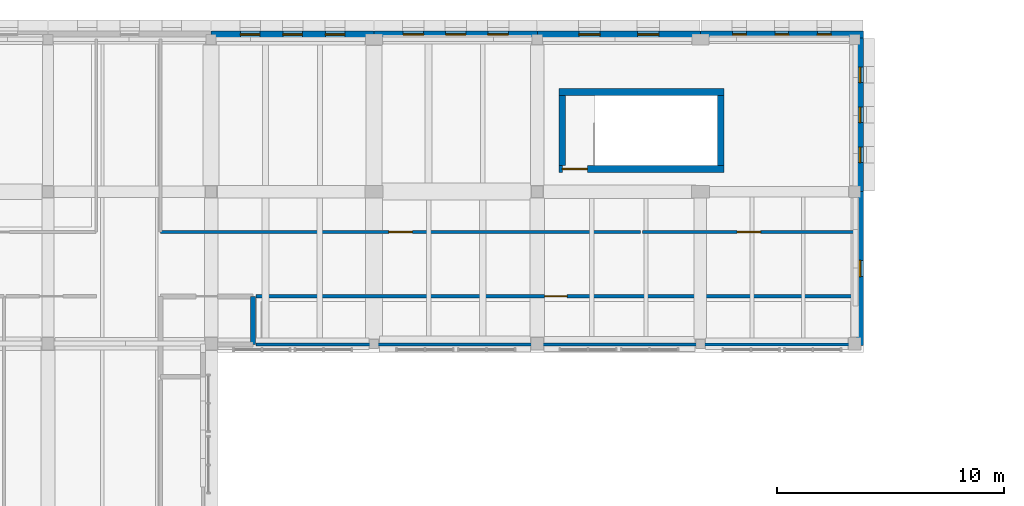
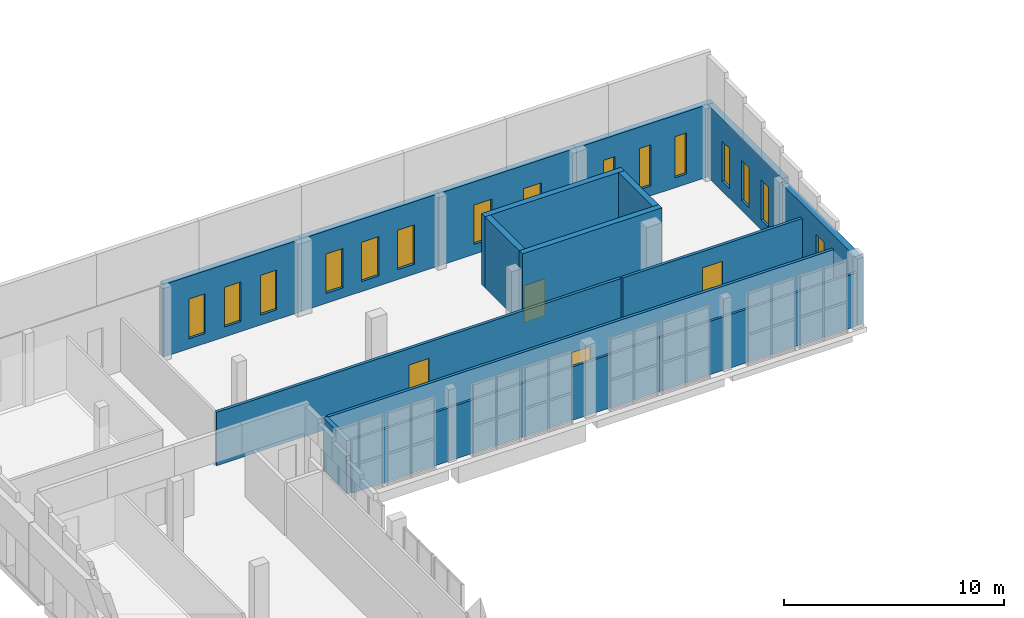
# One storey, part 24 of 34: 15 walls, 15 windows, 4 doors, 19 openings.
"""IFC4 building model written with IfcOpenShell, lengths in metres."""

from ifc_helpers import new_model, si_unit, direction, frame, frame_2d, origin, place, context, subcontext, project, spatial, rectangle, extrude, material, layer, layer_set, type_object, element, fill, save


model = new_model("IFC4")

# Units and contexts
model_context = context("Model", 3, precision=1e-05, world=origin(), true_north=direction((0.0, 1.0)))
body_context = subcontext(model_context, "Body", "Model", "MODEL_VIEW")
ifc_project = project(units=[si_unit("LENGTHUNIT", "METRE"), si_unit("AREAUNIT", "SQUARE_METRE"), si_unit("VOLUMEUNIT", "CUBIC_METRE"), si_unit("PLANEANGLEUNIT", "RADIAN"), si_unit("MASSUNIT", "GRAM", prefix="KILO")], contexts=[model_context])

# Site, building, storey
site_placement = place(None, origin())
site = spatial("IfcSite", under=ifc_project, at=site_placement, CompositionType="ELEMENT")
building_placement = place(site_placement, origin())
building = spatial("IfcBuilding", under=site, at=building_placement, Name="Vardoun Plaza Health Centre", CompositionType="ELEMENT")
storey_placement = place(building_placement, frame((0.0, 0.0, 12.89990234375)))
storey = spatial("IfcBuildingStorey", under=building, at=storey_placement, Name="L03", CompositionType="ELEMENT", Elevation=12.89990234375)

# Wall, opening, door
ifc_material_1 = material(Name="Concrete C40/50", Category="concrete")
ifc_layer_1 = layer(ifc_material_1, 0.300048828125)
ifc_layer_set_1 = layer_set([ifc_layer_1], Name="Concrete C40/50")
wall_type_1 = type_object("IfcWallType", Name="SW-01", PredefinedType="SHEAR", material=ifc_layer_set_1)
wall_1_placement = place(storey_placement, frame((41.550048828125, 109.199951171875, 0.0), z_axis=(0.0, 0.0, 1.0), x_axis=(-1.0, 0.0, 0.0)))
wall_1 = element("IfcWall", 1, at=wall_1_placement, inside=storey, type_object=wall_type_1, Name="Core C4 L03 Shear Wall S", PredefinedType="SHEAR", context=body_context, shape_type="SweptSolid", body=[
    extrude(rectangle(XDim=7.300048828125, YDim=0.300048828125, at=frame_2d((3.64990234375, 0.0))), origin(), (0.0, 0.0, 1.0), 3.93505859375),
])
opening_1_placement = place(wall_1_placement, frame((6.0400390625, 0.0, 0.0)))
opening_1 = element("IfcOpeningElement", 2, at=opening_1_placement, cuts=wall_1, Name="Opening SD-C4-L03", PredefinedType="OPENING", context=body_context, shape_type="SweptSolid", body=[
    extrude(rectangle(XDim=1.10009765625, YDim=2.050048828125, at=frame_2d((0.550048828125, 1.02490234375))), frame((0.0, 0.14990234375, 0.0), z_axis=(0.0, -1.0, 0.0), x_axis=(1.0, 0.0, 0.0)), (0.0, 0.0, 1.0), 0.300048828125),
])
ifc_material_2 = material(Name="Brushed Stainless Steel Grade 316L", Category="steel")
door_type_1 = type_object("IfcDoorType", Name="FD-01", OperationType="NOTDEFINED", PredefinedType="DOOR", material=ifc_material_2)
door_1_placement = place(opening_1_placement, origin())
door_1 = element("IfcDoor", 3, at=door_1_placement, inside=storey, type_object=door_type_1, Name="Stair C4 L03 Fire Door", OperationType="SINGLE_SWING_LEFT", OverallHeight=2.050048828125, OverallWidth=1.10009765625, PredefinedType="DOOR", context=body_context, shape_type="SweptSolid", body=[
    extrude(rectangle(XDim=1.10009765625, YDim=2.050048828125, at=frame_2d((0.550048828125, 1.02490234375))), frame((0.0, 0.02490234375, 0.0), z_axis=(0.0, -1.0, 0.0), x_axis=(1.0, 0.0, 0.0)), (0.0, 0.0, 1.0), 0.050048828125),
])
fill(opening_1, door_1)

# Walls
wall_2_placement = place(storey_placement, frame((34.39990234375, 109.35009765625, 0.0), z_axis=(0.0, 0.0, 1.0), x_axis=(0.0, 1.0, 0.0)))
element("IfcWall", 4, at=wall_2_placement, inside=storey, type_object=wall_type_1, Name="Core C4 L03 Shear Wall W", PredefinedType="SHEAR", context=body_context, shape_type="SweptSolid", body=[
    extrude(rectangle(XDim=3.099853515625, YDim=0.300048828125, at=frame_2d((1.5498046875, 0.0))), origin(), (0.0, 0.0, 1.0), 3.93505859375),
])
wall_3_placement = place(storey_placement, frame((34.25, 112.60009765625, 0.0), z_axis=(0.0, 0.0, 1.0), x_axis=(1.0, 0.0, 0.0)))
element("IfcWall", 5, at=wall_3_placement, inside=storey, type_object=wall_type_1, Name="Core C4 L03 Shear Wall N", PredefinedType="SHEAR", context=body_context, shape_type="SweptSolid", body=[
    extrude(rectangle(XDim=7.300048828125, YDim=0.300048828125, at=frame_2d((3.64990234375, 0.0))), origin(), (0.0, 0.0, 1.0), 3.93505859375),
])
wall_4_placement = place(storey_placement, frame((41.39990234375, 112.449951171875, 0.0), z_axis=(0.0, 0.0, 1.0), x_axis=(0.0, -1.0, 0.0)))
element("IfcWall", 6, at=wall_4_placement, inside=storey, type_object=wall_type_1, Name="Core C4 L03 Shear Wall E", PredefinedType="SHEAR", context=body_context, shape_type="SweptSolid", body=[
    extrude(rectangle(XDim=3.099853515625, YDim=0.300048828125, at=frame_2d((1.5498046875, 0.0))), origin(), (0.0, 0.0, 1.0), 3.93505859375),
])

# Wall, openings, windows
ifc_material_3 = material(Name="Pale Limestone Concrete C35/45", Category="masonry")
ifc_layer_2 = layer(ifc_material_3, 0.31494140625)
ifc_layer_set_2 = layer_set([ifc_layer_2], Name="Pale Limestone Concrete C35/45")
wall_type_2 = type_object("IfcWallType", Name="EW-03", PredefinedType="SOLIDWALL", material=ifc_layer_set_2)
wall_5_placement = place(storey_placement, frame((18.89990234375, 115.142578125, 0.0), z_axis=(0.0, 0.0, 1.0), x_axis=(1.0, 0.0, 0.0)))
wall_5 = element("IfcWall", 7, at=wall_5_placement, inside=storey, type_object=wall_type_2, Name="V3 L03 Exterior Wall EW-V3-291", PredefinedType="SOLIDWALL", context=body_context, shape_type="SweptSolid", body=[
    extrude(rectangle(XDim=7.2001953125, YDim=0.31494140625, at=frame_2d((3.60009765625, 0.0))), origin(), (0.0, 0.0, 1.0), 4.01513671875),
])
opening_2_placement = place(wall_5_placement, frame((1.298095703125, 0.0, 0.550048828125)))
opening_2 = element("IfcOpeningElement", 8, at=opening_2_placement, cuts=wall_5, Name="Opening W-08-005", PredefinedType="OPENING", context=body_context, shape_type="SweptSolid", body=[
    extrude(rectangle(XDim=0.860107421875, YDim=2.199951171875, at=frame_2d((0.43017578125, 1.10009765625))), frame((0.0, 0.157470703125, 0.0), z_axis=(0.0, -1.0, 0.0), x_axis=(1.0, 0.0, 0.0)), (0.0, 0.0, 1.0), 0.31494140625),
])
opening_3_placement = place(wall_5_placement, frame((3.169921875, 0.0, 0.550048828125)))
opening_3 = element("IfcOpeningElement", 9, at=opening_3_placement, cuts=wall_5, Name="Opening W-08-006", PredefinedType="OPENING", context=body_context, shape_type="SweptSolid", body=[
    extrude(rectangle(XDim=0.860107421875, YDim=2.199951171875, at=frame_2d((0.43017578125, 1.10009765625))), frame((0.0, 0.157470703125, 0.0), z_axis=(0.0, -1.0, 0.0), x_axis=(1.0, 0.0, 0.0)), (0.0, 0.0, 1.0), 0.31494140625),
])
opening_4_placement = place(wall_5_placement, frame((5.0419921875, 0.0, 0.550048828125)))
opening_4 = element("IfcOpeningElement", 10, at=opening_4_placement, cuts=wall_5, Name="Opening W-08-007", PredefinedType="OPENING", context=body_context, shape_type="SweptSolid", body=[
    extrude(rectangle(XDim=0.860107421875, YDim=2.199951171875, at=frame_2d((0.43017578125, 1.10009765625))), frame((0.0, 0.157470703125, 0.0), z_axis=(0.0, -1.0, 0.0), x_axis=(1.0, 0.0, 0.0)), (0.0, 0.0, 1.0), 0.31494140625),
])
ifc_material_4 = material(Name="Aluminium Alloy EN AW-6063-T6 and Low-E Glass", Category="aluminium")
window_type_1 = type_object("IfcWindowType", Name="W-08", PartitioningType="SINGLE_PANEL", PredefinedType="WINDOW", material=ifc_material_4)
window_1_placement = place(opening_2_placement, origin())
window_1 = element("IfcWindow", 11, at=window_1_placement, inside=storey, type_object=window_type_1, Name="V3 L03 Deep-Punched Slot Window W-08-470", OverallHeight=2.199951171875, OverallWidth=0.860107421875, PartitioningType="SINGLE_PANEL", PredefinedType="WINDOW", context=body_context, shape_type="SweptSolid", body=[
    extrude(rectangle(XDim=0.860107421875, YDim=2.199951171875, at=frame_2d((0.43017578125, 1.10009765625))), frame((0.0, 0.030029296875, 0.0), z_axis=(0.0, -1.0, 0.0), x_axis=(1.0, 0.0, 0.0)), (0.0, 0.0, 1.0), 0.06005859375),
])
fill(opening_2, window_1)
window_2_placement = place(opening_3_placement, origin())
window_2 = element("IfcWindow", 12, at=window_2_placement, inside=storey, type_object=window_type_1, Name="V3 L03 Deep-Punched Slot Window W-08-471", OverallHeight=2.199951171875, OverallWidth=0.860107421875, PartitioningType="SINGLE_PANEL", PredefinedType="WINDOW", context=body_context, shape_type="SweptSolid", body=[
    extrude(rectangle(XDim=0.860107421875, YDim=2.199951171875, at=frame_2d((0.43017578125, 1.10009765625))), frame((0.0, 0.030029296875, 0.0), z_axis=(0.0, -1.0, 0.0), x_axis=(1.0, 0.0, 0.0)), (0.0, 0.0, 1.0), 0.06005859375),
])
fill(opening_3, window_2)
window_3_placement = place(opening_4_placement, origin())
window_3 = element("IfcWindow", 13, at=window_3_placement, inside=storey, type_object=window_type_1, Name="V3 L03 Deep-Punched Slot Window W-08-472", OverallHeight=2.199951171875, OverallWidth=0.860107421875, PartitioningType="SINGLE_PANEL", PredefinedType="WINDOW", context=body_context, shape_type="SweptSolid", body=[
    extrude(rectangle(XDim=0.860107421875, YDim=2.199951171875, at=frame_2d((0.43017578125, 1.10009765625))), frame((0.0, 0.030029296875, 0.0), z_axis=(0.0, -1.0, 0.0), x_axis=(1.0, 0.0, 0.0)), (0.0, 0.0, 1.0), 0.06005859375),
])
fill(opening_4, window_3)

wall_6_placement = place(storey_placement, frame((26.10009765625, 115.142578125, 0.0), z_axis=(0.0, 0.0, 1.0), x_axis=(1.0, 0.0, 0.0)))
wall_6 = element("IfcWall", 14, at=wall_6_placement, inside=storey, type_object=wall_type_2, Name="V3 L03 Exterior Wall EW-V3-292", PredefinedType="SOLIDWALL", context=body_context, shape_type="SweptSolid", body=[
    extrude(rectangle(XDim=7.199951171875, YDim=0.31494140625, at=frame_2d((3.60009765625, 0.0))), origin(), (0.0, 0.0, 1.0), 4.01513671875),
])
opening_5_placement = place(wall_6_placement, frame((1.278076171875, 0.0, 0.550048828125)))
opening_5 = element("IfcOpeningElement", 15, at=opening_5_placement, cuts=wall_6, Name="Opening W-09-004", PredefinedType="OPENING", context=body_context, shape_type="SweptSolid", body=[
    extrude(rectangle(XDim=0.89990234375, YDim=2.179931640625, at=frame_2d((0.449951171875, 1.08984375))), frame((0.0, 0.157470703125, 0.0), z_axis=(0.0, -1.0, 0.0), x_axis=(1.0, 0.0, 0.0)), (0.0, 0.0, 1.0), 0.31494140625),
])
opening_6_placement = place(wall_6_placement, frame((3.14990234375, 0.0, 0.550048828125)))
opening_6 = element("IfcOpeningElement", 16, at=opening_6_placement, cuts=wall_6, Name="Opening W-09-005", PredefinedType="OPENING", context=body_context, shape_type="SweptSolid", body=[
    extrude(rectangle(XDim=0.89990234375, YDim=2.179931640625, at=frame_2d((0.449951171875, 1.08984375))), frame((0.0, 0.157470703125, 0.0), z_axis=(0.0, -1.0, 0.0), x_axis=(1.0, 0.0, 0.0)), (0.0, 0.0, 1.0), 0.31494140625),
])
opening_7_placement = place(wall_6_placement, frame((5.02197265625, 0.0, 0.550048828125)))
opening_7 = element("IfcOpeningElement", 17, at=opening_7_placement, cuts=wall_6, Name="Opening W-09-006", PredefinedType="OPENING", context=body_context, shape_type="SweptSolid", body=[
    extrude(rectangle(XDim=0.89990234375, YDim=2.179931640625, at=frame_2d((0.449951171875, 1.08984375))), frame((0.0, 0.157470703125, 0.0), z_axis=(0.0, -1.0, 0.0), x_axis=(1.0, 0.0, 0.0)), (0.0, 0.0, 1.0), 0.31494140625),
])
ifc_material_5 = material(Name="Aluminium Alloy EN AW-6063-T6 and Low-E Glass", Category="aluminium")
window_type_2 = type_object("IfcWindowType", Name="W-09", PartitioningType="DOUBLE_PANEL_VERTICAL", PredefinedType="WINDOW", material=ifc_material_5)
window_4_placement = place(opening_5_placement, origin())
window_4 = element("IfcWindow", 18, at=window_4_placement, inside=storey, type_object=window_type_2, Name="V3 L03 Deep-Punched Slot Window W-09-473", OverallHeight=2.179931640625, OverallWidth=0.89990234375, PartitioningType="DOUBLE_PANEL_VERTICAL", PredefinedType="WINDOW", context=body_context, shape_type="SweptSolid", body=[
    extrude(rectangle(XDim=0.89990234375, YDim=2.179931640625, at=frame_2d((0.449951171875, 1.08984375))), frame((0.0, 0.030029296875, 0.0), z_axis=(0.0, -1.0, 0.0), x_axis=(1.0, 0.0, 0.0)), (0.0, 0.0, 1.0), 0.06005859375),
])
fill(opening_5, window_4)
window_5_placement = place(opening_6_placement, origin())
window_5 = element("IfcWindow", 19, at=window_5_placement, inside=storey, type_object=window_type_2, Name="V3 L03 Deep-Punched Slot Window W-09-474", OverallHeight=2.179931640625, OverallWidth=0.89990234375, PartitioningType="DOUBLE_PANEL_VERTICAL", PredefinedType="WINDOW", context=body_context, shape_type="SweptSolid", body=[
    extrude(rectangle(XDim=0.89990234375, YDim=2.179931640625, at=frame_2d((0.449951171875, 1.08984375))), frame((0.0, 0.030029296875, 0.0), z_axis=(0.0, -1.0, 0.0), x_axis=(1.0, 0.0, 0.0)), (0.0, 0.0, 1.0), 0.06005859375),
])
fill(opening_6, window_5)
window_6_placement = place(opening_7_placement, origin())
window_6 = element("IfcWindow", 20, at=window_6_placement, inside=storey, type_object=window_type_2, Name="V3 L03 Deep-Punched Slot Window W-09-475", OverallHeight=2.179931640625, OverallWidth=0.89990234375, PartitioningType="DOUBLE_PANEL_VERTICAL", PredefinedType="WINDOW", context=body_context, shape_type="SweptSolid", body=[
    extrude(rectangle(XDim=0.89990234375, YDim=2.179931640625, at=frame_2d((0.449951171875, 1.08984375))), frame((0.0, 0.030029296875, 0.0), z_axis=(0.0, -1.0, 0.0), x_axis=(1.0, 0.0, 0.0)), (0.0, 0.0, 1.0), 0.06005859375),
])
fill(opening_7, window_6)

wall_7_placement = place(storey_placement, frame((33.300048828125, 115.142578125, 0.0), z_axis=(0.0, 0.0, 1.0), x_axis=(1.0, 0.0, 0.0)))
wall_7 = element("IfcWall", 21, at=wall_7_placement, inside=storey, type_object=wall_type_2, Name="V3 L03 Exterior Wall EW-V3-293", PredefinedType="SOLIDWALL", context=body_context, shape_type="SweptSolid", body=[
    extrude(rectangle(XDim=7.199951171875, YDim=0.31494140625, at=frame_2d((3.60009765625, 0.0))), origin(), (0.0, 0.0, 1.0), 4.01513671875),
])
opening_8_placement = place(wall_7_placement, frame((1.833984375, 0.0, 0.550048828125)))
opening_8 = element("IfcOpeningElement", 22, at=opening_8_placement, cuts=wall_7, Name="Opening W-10-005", PredefinedType="OPENING", context=body_context, shape_type="SweptSolid", body=[
    extrude(rectangle(XDim=0.93994140625, YDim=2.179931640625, at=frame_2d((0.469970703125, 1.08984375))), frame((0.0, 0.157470703125, 0.0), z_axis=(0.0, -1.0, 0.0), x_axis=(1.0, 0.0, 0.0)), (0.0, 0.0, 1.0), 0.31494140625),
])
opening_9_placement = place(wall_7_placement, frame((4.426025390625, 0.0, 0.550048828125)))
opening_9 = element("IfcOpeningElement", 23, at=opening_9_placement, cuts=wall_7, Name="Opening W-10-006", PredefinedType="OPENING", context=body_context, shape_type="SweptSolid", body=[
    extrude(rectangle(XDim=0.93994140625, YDim=2.179931640625, at=frame_2d((0.469970703125, 1.08984375))), frame((0.0, 0.157470703125, 0.0), z_axis=(0.0, -1.0, 0.0), x_axis=(1.0, 0.0, 0.0)), (0.0, 0.0, 1.0), 0.31494140625),
])
ifc_material_6 = material(Name="Aluminium Alloy EN AW-6063-T6 and Low-E Glass", Category="aluminium")
window_type_3 = type_object("IfcWindowType", Name="W-10", PartitioningType="DOUBLE_PANEL_VERTICAL", PredefinedType="WINDOW", material=ifc_material_6)
window_7_placement = place(opening_8_placement, origin())
window_7 = element("IfcWindow", 24, at=window_7_placement, inside=storey, type_object=window_type_3, Name="V3 L03 Deep-Punched Slot Window W-10-476", OverallHeight=2.179931640625, OverallWidth=0.93994140625, PartitioningType="DOUBLE_PANEL_VERTICAL", PredefinedType="WINDOW", context=body_context, shape_type="SweptSolid", body=[
    extrude(rectangle(XDim=0.93994140625, YDim=2.179931640625, at=frame_2d((0.469970703125, 1.08984375))), frame((0.0, 0.030029296875, 0.0), z_axis=(0.0, -1.0, 0.0), x_axis=(1.0, 0.0, 0.0)), (0.0, 0.0, 1.0), 0.06005859375),
])
fill(opening_8, window_7)
window_8_placement = place(opening_9_placement, origin())
window_8 = element("IfcWindow", 25, at=window_8_placement, inside=storey, type_object=window_type_3, Name="V3 L03 Deep-Punched Slot Window W-10-477", OverallHeight=2.179931640625, OverallWidth=0.93994140625, PartitioningType="DOUBLE_PANEL_VERTICAL", PredefinedType="WINDOW", context=body_context, shape_type="SweptSolid", body=[
    extrude(rectangle(XDim=0.93994140625, YDim=2.179931640625, at=frame_2d((0.469970703125, 1.08984375))), frame((0.0, 0.030029296875, 0.0), z_axis=(0.0, -1.0, 0.0), x_axis=(1.0, 0.0, 0.0)), (0.0, 0.0, 1.0), 0.06005859375),
])
fill(opening_9, window_8)

wall_8_placement = place(storey_placement, frame((40.5, 115.142578125, 0.0), z_axis=(0.0, 0.0, 1.0), x_axis=(1.0, 0.0, 0.0)))
wall_8 = element("IfcWall", 26, at=wall_8_placement, inside=storey, type_object=wall_type_2, Name="V3 L03 Exterior Wall EW-V3-294", PredefinedType="SOLIDWALL", context=body_context, shape_type="SweptSolid", body=[
    extrude(rectangle(XDim=7.199951171875, YDim=0.31494140625, at=frame_2d((3.60009765625, 0.0))), origin(), (0.0, 0.0, 1.0), 4.01513671875),
])
opening_10_placement = place(wall_8_placement, frame((1.427978515625, 0.0, 0.550048828125)))
opening_10 = element("IfcOpeningElement", 27, at=opening_10_placement, cuts=wall_8, Name="Opening W-11-010", PredefinedType="OPENING", context=body_context, shape_type="SweptSolid", body=[
    extrude(rectangle(XDim=0.60009765625, YDim=2.280029296875, at=frame_2d((0.300048828125, 1.14013671875))), frame((0.0, 0.157470703125, 0.0), z_axis=(0.0, -1.0, 0.0), x_axis=(1.0, 0.0, 0.0)), (0.0, 0.0, 1.0), 0.31494140625),
])
opening_11_placement = place(wall_8_placement, frame((3.300048828125, 0.0, 0.550048828125)))
opening_11 = element("IfcOpeningElement", 28, at=opening_11_placement, cuts=wall_8, Name="Opening W-11-011", PredefinedType="OPENING", context=body_context, shape_type="SweptSolid", body=[
    extrude(rectangle(XDim=0.60009765625, YDim=2.280029296875, at=frame_2d((0.300048828125, 1.14013671875))), frame((0.0, 0.157470703125, 0.0), z_axis=(0.0, -1.0, 0.0), x_axis=(1.0, 0.0, 0.0)), (0.0, 0.0, 1.0), 0.31494140625),
])
opening_12_placement = place(wall_8_placement, frame((5.172119140625, 0.0, 0.550048828125)))
opening_12 = element("IfcOpeningElement", 29, at=opening_12_placement, cuts=wall_8, Name="Opening W-11-012", PredefinedType="OPENING", context=body_context, shape_type="SweptSolid", body=[
    extrude(rectangle(XDim=0.60009765625, YDim=2.280029296875, at=frame_2d((0.300048828125, 1.14013671875))), frame((0.0, 0.157470703125, 0.0), z_axis=(0.0, -1.0, 0.0), x_axis=(1.0, 0.0, 0.0)), (0.0, 0.0, 1.0), 0.31494140625),
])
ifc_material_7 = material(Name="Aluminium Alloy EN AW-6063-T6 and Low-E Glass", Category="aluminium")
window_type_4 = type_object("IfcWindowType", Name="W-11", PartitioningType="SINGLE_PANEL", PredefinedType="WINDOW", material=ifc_material_7)
window_9_placement = place(opening_10_placement, origin())
window_9 = element("IfcWindow", 30, at=window_9_placement, inside=storey, type_object=window_type_4, Name="V3 L03 Deep-Punched Slot Window W-11-478", OverallHeight=2.280029296875, OverallWidth=0.60009765625, PartitioningType="SINGLE_PANEL", PredefinedType="WINDOW", context=body_context, shape_type="SweptSolid", body=[
    extrude(rectangle(XDim=0.60009765625, YDim=2.280029296875, at=frame_2d((0.300048828125, 1.14013671875))), frame((0.0, 0.030029296875, 0.0), z_axis=(0.0, -1.0, 0.0), x_axis=(1.0, 0.0, 0.0)), (0.0, 0.0, 1.0), 0.06005859375),
])
fill(opening_10, window_9)
window_10_placement = place(opening_11_placement, origin())
window_10 = element("IfcWindow", 31, at=window_10_placement, inside=storey, type_object=window_type_4, Name="V3 L03 Deep-Punched Slot Window W-11-479", OverallHeight=2.280029296875, OverallWidth=0.60009765625, PartitioningType="SINGLE_PANEL", PredefinedType="WINDOW", context=body_context, shape_type="SweptSolid", body=[
    extrude(rectangle(XDim=0.60009765625, YDim=2.280029296875, at=frame_2d((0.300048828125, 1.14013671875))), frame((0.0, 0.030029296875, 0.0), z_axis=(0.0, -1.0, 0.0), x_axis=(1.0, 0.0, 0.0)), (0.0, 0.0, 1.0), 0.06005859375),
])
fill(opening_11, window_10)
window_11_placement = place(opening_12_placement, origin())
window_11 = element("IfcWindow", 32, at=window_11_placement, inside=storey, type_object=window_type_4, Name="V3 L03 Deep-Punched Slot Window W-11-480", OverallHeight=2.280029296875, OverallWidth=0.60009765625, PartitioningType="SINGLE_PANEL", PredefinedType="WINDOW", context=body_context, shape_type="SweptSolid", body=[
    extrude(rectangle(XDim=0.60009765625, YDim=2.280029296875, at=frame_2d((0.300048828125, 1.14013671875))), frame((0.0, 0.030029296875, 0.0), z_axis=(0.0, -1.0, 0.0), x_axis=(1.0, 0.0, 0.0)), (0.0, 0.0, 1.0), 0.06005859375),
])
fill(opening_12, window_11)

wall_9_placement = place(storey_placement, frame((47.54248046875, 114.985107421875, 0.0), z_axis=(0.0, 0.0, 1.0), x_axis=(0.0, -1.0, 0.0)))
wall_9 = element("IfcWall", 33, at=wall_9_placement, inside=storey, type_object=wall_type_2, Name="V3 L03 Exterior Wall EW-V3-295", PredefinedType="SOLIDWALL", context=body_context, shape_type="SweptSolid", body=[
    extrude(rectangle(XDim=6.78515625, YDim=0.31494140625, at=frame_2d((3.392578125, 0.0))), origin(), (0.0, 0.0, 1.0), 4.01513671875),
])
opening_13_placement = place(wall_9_placement, frame((1.288330078125, 0.0, 0.550048828125)))
opening_13 = element("IfcOpeningElement", 34, at=opening_13_placement, cuts=wall_9, Name="Opening W-13-012", PredefinedType="OPENING", context=body_context, shape_type="SweptSolid", body=[
    extrude(rectangle(XDim=0.679931640625, YDim=2.219970703125, at=frame_2d((0.33984375, 1.10986328125))), frame((0.0, 0.157470703125, 0.0), z_axis=(0.0, -1.0, 0.0), x_axis=(1.0, 0.0, 0.0)), (0.0, 0.0, 1.0), 0.31494140625),
])
opening_14_placement = place(wall_9_placement, frame((3.052490234375, 0.0, 0.550048828125)))
opening_14 = element("IfcOpeningElement", 35, at=opening_14_placement, cuts=wall_9, Name="Opening W-13-013", PredefinedType="OPENING", context=body_context, shape_type="SweptSolid", body=[
    extrude(rectangle(XDim=0.679931640625, YDim=2.219970703125, at=frame_2d((0.33984375, 1.10986328125))), frame((0.0, 0.157470703125, 0.0), z_axis=(0.0, -1.0, 0.0), x_axis=(1.0, 0.0, 0.0)), (0.0, 0.0, 1.0), 0.31494140625),
])
opening_15_placement = place(wall_9_placement, frame((4.816650390625, 0.0, 0.550048828125)))
opening_15 = element("IfcOpeningElement", 36, at=opening_15_placement, cuts=wall_9, Name="Opening W-13-014", PredefinedType="OPENING", context=body_context, shape_type="SweptSolid", body=[
    extrude(rectangle(XDim=0.679931640625, YDim=2.219970703125, at=frame_2d((0.33984375, 1.10986328125))), frame((0.0, 0.157470703125, 0.0), z_axis=(0.0, -1.0, 0.0), x_axis=(1.0, 0.0, 0.0)), (0.0, 0.0, 1.0), 0.31494140625),
])
ifc_material_8 = material(Name="Aluminium Alloy EN AW-6063-T6 and Low-E Glass", Category="aluminium")
window_type_5 = type_object("IfcWindowType", Name="W-13", PartitioningType="SINGLE_PANEL", PredefinedType="WINDOW", material=ifc_material_8)
window_12_placement = place(opening_13_placement, origin())
window_12 = element("IfcWindow", 37, at=window_12_placement, inside=storey, type_object=window_type_5, Name="V3 L03 Deep-Punched Slot Window W-13-481", OverallHeight=2.219970703125, OverallWidth=0.679931640625, PartitioningType="SINGLE_PANEL", PredefinedType="WINDOW", context=body_context, shape_type="SweptSolid", body=[
    extrude(rectangle(XDim=0.679931640625, YDim=2.219970703125, at=frame_2d((0.33984375, 1.10986328125))), frame((0.0, 0.030029296875, 0.0), z_axis=(0.0, -1.0, 0.0), x_axis=(1.0, 0.0, 0.0)), (0.0, 0.0, 1.0), 0.06005859375),
])
fill(opening_13, window_12)
window_13_placement = place(opening_14_placement, origin())
window_13 = element("IfcWindow", 38, at=window_13_placement, inside=storey, type_object=window_type_5, Name="V3 L03 Deep-Punched Slot Window W-13-482", OverallHeight=2.219970703125, OverallWidth=0.679931640625, PartitioningType="SINGLE_PANEL", PredefinedType="WINDOW", context=body_context, shape_type="SweptSolid", body=[
    extrude(rectangle(XDim=0.679931640625, YDim=2.219970703125, at=frame_2d((0.33984375, 1.10986328125))), frame((0.0, 0.030029296875, 0.0), z_axis=(0.0, -1.0, 0.0), x_axis=(1.0, 0.0, 0.0)), (0.0, 0.0, 1.0), 0.06005859375),
])
fill(opening_14, window_13)
window_14_placement = place(opening_15_placement, origin())
window_14 = element("IfcWindow", 39, at=window_14_placement, inside=storey, type_object=window_type_5, Name="V3 L03 Deep-Punched Slot Window W-13-483", OverallHeight=2.219970703125, OverallWidth=0.679931640625, PartitioningType="SINGLE_PANEL", PredefinedType="WINDOW", context=body_context, shape_type="SweptSolid", body=[
    extrude(rectangle(XDim=0.679931640625, YDim=2.219970703125, at=frame_2d((0.33984375, 1.10986328125))), frame((0.0, 0.030029296875, 0.0), z_axis=(0.0, -1.0, 0.0), x_axis=(1.0, 0.0, 0.0)), (0.0, 0.0, 1.0), 0.06005859375),
])
fill(opening_15, window_14)

# Wall, opening, window
wall_10_placement = place(storey_placement, frame((47.54248046875, 108.199951171875, 0.0), z_axis=(0.0, 0.0, 1.0), x_axis=(0.0, -1.0, 0.0)))
wall_10 = element("IfcWall", 40, at=wall_10_placement, inside=storey, type_object=wall_type_2, Name="V3 L03 Exterior Wall EW-V3-296", PredefinedType="SOLIDWALL", context=body_context, shape_type="SweptSolid", body=[
    extrude(rectangle(XDim=6.784912109375, YDim=0.31494140625, at=frame_2d((3.392578125, 0.0))), origin(), (0.0, 0.0, 1.0), 3.6865234375),
])
opening_16_placement = place(wall_10_placement, frame((3.032470703125, 0.0, 0.550048828125)))
opening_16 = element("IfcOpeningElement", 41, at=opening_16_placement, cuts=wall_10, Name="Opening W-14-007", PredefinedType="OPENING", context=body_context, shape_type="SweptSolid", body=[
    extrude(rectangle(XDim=0.719970703125, YDim=2.219970703125, at=frame_2d((0.35986328125, 1.10986328125))), frame((0.0, 0.157470703125, 0.0), z_axis=(0.0, -1.0, 0.0), x_axis=(1.0, 0.0, 0.0)), (0.0, 0.0, 1.0), 0.31494140625),
])
ifc_material_9 = material(Name="Aluminium Alloy EN AW-6063-T6 and Low-E Glass", Category="aluminium")
window_type_6 = type_object("IfcWindowType", Name="W-14", PartitioningType="SINGLE_PANEL", PredefinedType="WINDOW", material=ifc_material_9)
window_15_placement = place(opening_16_placement, origin())
window_15 = element("IfcWindow", 42, at=window_15_placement, inside=storey, type_object=window_type_6, Name="V3 L03 Deep-Punched Slot Window W-14-485", OverallHeight=2.219970703125, OverallWidth=0.719970703125, PartitioningType="SINGLE_PANEL", PredefinedType="WINDOW", context=body_context, shape_type="SweptSolid", body=[
    extrude(rectangle(XDim=0.719970703125, YDim=2.219970703125, at=frame_2d((0.35986328125, 1.10986328125))), frame((0.0, 0.030029296875, 0.0), z_axis=(0.0, -1.0, 0.0), x_axis=(1.0, 0.0, 0.0)), (0.0, 0.0, 1.0), 0.06005859375),
])
fill(opening_16, window_15)

# Wall, opening, door
ifc_material_10 = material(Name="Acoustic Gypsum Twin-Stud", Category="steel")
ifc_layer_3 = layer(ifc_material_10, 0.14990234375)
ifc_layer_set_3 = layer_set([ifc_layer_3], Name="Acoustic Gypsum Twin-Stud")
wall_type_3 = type_object("IfcWallType", Name="IW-04", PredefinedType="PARTITIONING", material=ifc_layer_set_3)
wall_11_placement = place(storey_placement, frame((37.860107421875, 106.419921875, 0.0), z_axis=(0.0, 0.0, 1.0), x_axis=(-1.0, 0.0, 0.0)))
wall_11 = element("IfcWall", 43, at=wall_11_placement, inside=storey, type_object=wall_type_3, Name="Maternal-Child Consulting Room 31 Partition Wall", PredefinedType="PARTITIONING", context=body_context, shape_type="SweptSolid", body=[
    extrude(rectangle(XDim=21.190185546875, YDim=0.14990234375, at=frame_2d((10.59521484375, 0.0))), origin(), (0.0, 0.0, 1.0), 2.955078125),
])
opening_17_placement = place(wall_11_placement, frame((10.074951171875, 0.0, 0.0)))
opening_17 = element("IfcOpeningElement", 44, at=opening_17_placement, cuts=wall_11, Name="Opening D-L03-105", PredefinedType="OPENING", context=body_context, shape_type="SweptSolid", body=[
    extrude(rectangle(XDim=1.0400390625, YDim=2.050048828125, at=frame_2d((0.52001953125, 1.02490234375))), frame((0.0, 0.074951171875, 0.0), z_axis=(0.0, -1.0, 0.0), x_axis=(1.0, 0.0, 0.0)), (0.0, 0.0, 1.0), 0.14990234375),
])
ifc_material_11 = material(Name="Antimicrobial Acoustic Timber and Steel S275JR", Category="steel")
door_type_2 = type_object("IfcDoorType", Name="CD-04", OperationType="NOTDEFINED", PredefinedType="DOOR", material=ifc_material_11)
door_2_placement = place(opening_17_placement, origin())
door_2 = element("IfcDoor", 45, at=door_2_placement, inside=storey, type_object=door_type_2, Name="Maternal-Child Consulting Room 31 Door D-L03-105", OperationType="SINGLE_SWING_LEFT", OverallHeight=2.050048828125, OverallWidth=1.0400390625, PredefinedType="DOOR", context=body_context, shape_type="SweptSolid", body=[
    extrude(rectangle(XDim=1.0400390625, YDim=2.050048828125, at=frame_2d((0.52001953125, 1.02490234375))), frame((0.0, 0.02490234375, 0.0), z_axis=(0.0, -1.0, 0.0), x_axis=(1.0, 0.0, 0.0)), (0.0, 0.0, 1.0), 0.050048828125),
])
fill(opening_17, door_2)

wall_12_placement = place(storey_placement, frame((47.35009765625, 106.419921875, 0.0), z_axis=(0.0, 0.0, 1.0), x_axis=(-1.0, 0.0, 0.0)))
wall_12 = element("IfcWall", 46, at=wall_12_placement, inside=storey, type_object=wall_type_3, Name="Courtyard Waiting Lounge L03 Partition Wall", PredefinedType="PARTITIONING", context=body_context, shape_type="SweptSolid", body=[
    extrude(rectangle(XDim=9.41015625, YDim=0.14990234375, at=frame_2d((4.705078125, 0.0))), origin(), (0.0, 0.0, 1.0), 2.955078125),
])
opening_18_placement = place(wall_12_placement, frame((4.18505859375, 0.0, 0.0)))
opening_18 = element("IfcOpeningElement", 47, at=opening_18_placement, cuts=wall_12, Name="Opening D-L03-109", PredefinedType="OPENING", context=body_context, shape_type="SweptSolid", body=[
    extrude(rectangle(XDim=1.0400390625, YDim=2.050048828125, at=frame_2d((0.52001953125, 1.02490234375))), frame((0.0, 0.074951171875, 0.0), z_axis=(0.0, -1.0, 0.0), x_axis=(1.0, 0.0, 0.0)), (0.0, 0.0, 1.0), 0.14990234375),
])
door_3_placement = place(opening_18_placement, origin())
door_3 = element("IfcDoor", 48, at=door_3_placement, inside=storey, type_object=door_type_2, Name="Courtyard Waiting Lounge L03 Door D-L03-109", OperationType="SINGLE_SWING_LEFT", OverallHeight=2.050048828125, OverallWidth=1.0400390625, PredefinedType="DOOR", context=body_context, shape_type="SweptSolid", body=[
    extrude(rectangle(XDim=1.0400390625, YDim=2.050048828125, at=frame_2d((0.52001953125, 1.02490234375))), frame((0.0, 0.02490234375, 0.0), z_axis=(0.0, -1.0, 0.0), x_axis=(1.0, 0.0, 0.0)), (0.0, 0.0, 1.0), 0.050048828125),
])
fill(opening_18, door_3)

wall_13_placement = place(storey_placement, frame((20.8935546875, 103.580078125, 0.0), z_axis=(0.0, 0.0, 1.0), x_axis=(1.0, 0.0, 0.0)))
wall_13 = element("IfcWall", 49, at=wall_13_placement, inside=storey, type_object=wall_type_3, Name="Maternal-Child Consulting Room 31 A Partition Wall", PredefinedType="PARTITIONING", context=body_context, shape_type="SweptSolid", body=[
    extrude(rectangle(XDim=26.45654296875, YDim=0.14990234375, at=frame_2d((13.228271484375, 0.0))), origin(), (0.0, 0.0, 1.0), 2.955078125),
])
opening_19_placement = place(wall_13_placement, frame((12.728271484375, 0.0, 0.0)))
opening_19 = element("IfcOpeningElement", 50, at=opening_19_placement, cuts=wall_13, Name="Opening D-L03-110", PredefinedType="OPENING", context=body_context, shape_type="SweptSolid", body=[
    extrude(rectangle(XDim=1.0, YDim=2.050048828125, at=frame_2d((0.5, 1.02490234375))), frame((0.0, 0.074951171875, 0.0), z_axis=(0.0, -1.0, 0.0), x_axis=(1.0, 0.0, 0.0)), (0.0, 0.0, 1.0), 0.14990234375),
])
ifc_material_12 = material(Name="Antimicrobial Acoustic Timber and Steel S275JR", Category="steel")
door_type_3 = type_object("IfcDoorType", Name="CD-03", OperationType="NOTDEFINED", PredefinedType="DOOR", material=ifc_material_12)
door_4_placement = place(opening_19_placement, origin())
door_4 = element("IfcDoor", 51, at=door_4_placement, inside=storey, type_object=door_type_3, Name="Maternal-Child Consulting Room 31 A Door D-L03-110", OperationType="SINGLE_SWING_RIGHT", OverallHeight=2.050048828125, OverallWidth=1.0, PredefinedType="DOOR", context=body_context, shape_type="SweptSolid", body=[
    extrude(rectangle(XDim=1.0, YDim=2.050048828125, at=frame_2d((0.5, 1.02490234375))), frame((0.0, 0.02490234375, 0.0), z_axis=(0.0, -1.0, 0.0), x_axis=(1.0, 0.0, 0.0)), (0.0, 0.0, 1.0), 0.050048828125),
])
fill(opening_19, door_4)

# Walls
ifc_material_13 = material(Name="Standard Clinical Sub-Partition", Category="steel")
ifc_layer_4 = layer(ifc_material_13, 0.125)
ifc_layer_set_4 = layer_set([ifc_layer_4], Name="Standard Clinical Sub-Partition")
wall_type_4 = type_object("IfcWallType", Name="IW-11", PredefinedType="PARTITIONING", material=ifc_layer_set_4)
wall_14_placement = place(storey_placement, frame((47.35009765625, 101.449951171875, 0.0), z_axis=(0.0, 0.0, 1.0), x_axis=(-1.0, 0.0, 0.0)))
element("IfcWall", 52, at=wall_14_placement, inside=storey, type_object=wall_type_4, Name="Maternal-Child Consulting Room 31 A Enclosure Partition", PredefinedType="PARTITIONING", context=body_context, shape_type="SweptSolid", body=[
    extrude(rectangle(XDim=26.45654296875, YDim=0.125, at=frame_2d((13.228271484375, 0.0))), origin(), (0.0, 0.0, 1.0), 2.955078125),
])
ifc_material_14 = material(Name="Moisture-Resistant Plumbing Chase", Category="steel")
ifc_layer_5 = layer(ifc_material_14, 0.215087890625)
ifc_layer_set_5 = layer_set([ifc_layer_5], Name="Moisture-Resistant Plumbing Chase")
wall_type_5 = type_object("IfcWallType", Name="IW-06", PredefinedType="PLUMBINGWALL", material=ifc_layer_set_5)
wall_15_placement = place(storey_placement, frame((20.75341796875, 103.580078125, 0.0), z_axis=(0.0, 0.0, 1.0), x_axis=(0.0, -1.0, 0.0)))
element("IfcWall", 53, at=wall_15_placement, inside=storey, type_object=wall_type_5, Name="Accessible WC L03-V3 Enclosure Partition", PredefinedType="PLUMBINGWALL", context=body_context, shape_type="SweptSolid", body=[
    extrude(rectangle(XDim=2.130126953125, YDim=0.215087890625, at=frame_2d((1.06494140625, 0.0))), origin(), (0.0, 0.0, 1.0), 2.955078125),
])

save(model, "model.ifc")
